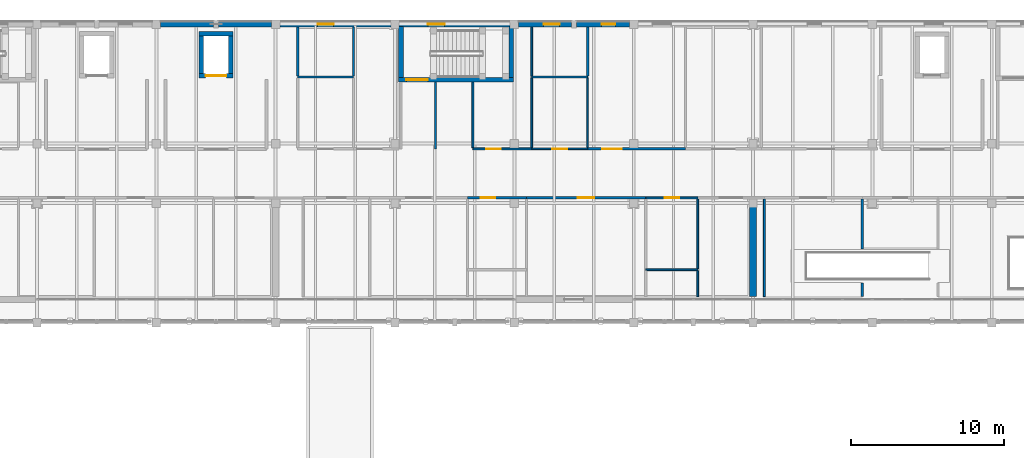
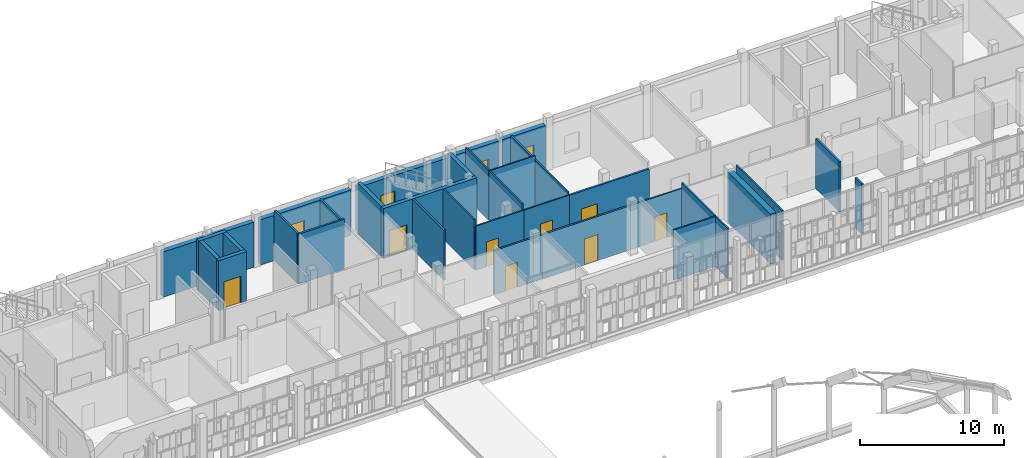
# One storey, part 98 of 119: 36 walls, 8 doors, 4 windows, 12 openings.
"""IFC4 building model written with IfcOpenShell, lengths in metres."""

from ifc_helpers import new_model, si_unit, direction, frame, frame_2d, origin, place, context, subcontext, project, spatial, rectangle, extrude, material, layer, layer_set, type_object, element, fill, save


model = new_model("IFC4")

# Units and contexts
model_context = context("Model", 3, precision=1e-05, world=origin(), true_north=direction((0.0, 1.0)))
body_context = subcontext(model_context, "Body", "Model", "MODEL_VIEW")
ifc_project = project(units=[si_unit("LENGTHUNIT", "METRE"), si_unit("AREAUNIT", "SQUARE_METRE"), si_unit("VOLUMEUNIT", "CUBIC_METRE"), si_unit("PLANEANGLEUNIT", "RADIAN"), si_unit("MASSUNIT", "GRAM", prefix="KILO")], contexts=[model_context])

# Site, building, storey
site_placement = place(None, origin())
site = spatial("IfcSite", under=ifc_project, at=site_placement, CompositionType="ELEMENT")
building_placement = place(site_placement, origin())
building = spatial("IfcBuilding", under=site, at=building_placement, Name="Celorna Specialist Clinic", CompositionType="ELEMENT")
storey_placement = place(building_placement, frame((0.0, 0.0, 9.60009765625)))
storey = spatial("IfcBuildingStorey", under=building, at=storey_placement, Name="L02", CompositionType="ELEMENT", Elevation=9.60009765625)

# Walls
ifc_material_1 = material(Name="Concrete C40/50", Category="concrete")
ifc_layer_1 = layer(ifc_material_1, 0.449951171875, Name="Concrete C40/50")
ifc_layer_set_1 = layer_set([ifc_layer_1], Name="Concrete C40/50")
wall_type_1 = type_object("IfcWallType", Name="WT-04", PredefinedType="SHEAR", material=ifc_layer_set_1)
wall_1_placement = place(storey_placement, frame((101.39990234375, 98.18994140625, 0.0), z_axis=(0.0, 0.0, 1.0), x_axis=(0.0, 1.0, 0.0)))
element("IfcWall", 1, at=wall_1_placement, inside=storey, type_object=wall_type_1, Name="Structural RC shear wall WT-04 V4 L02", PredefinedType="SHEAR", context=body_context, shape_type="SweptSolid", body=[
    extrude(rectangle(XDim=5.9599609375, YDim=0.449951171875, at=frame_2d((2.97998046875, 0.0))), origin(), (0.0, 0.0, 1.0), 4.239990234375),
])
ifc_material_2 = material(Name="Terracotta masonry with insulated cavity", Category="masonry")
ifc_layer_2 = layer(ifc_material_2, 0.3798828125, Name="Terracotta masonry with insulated cavity")
ifc_layer_set_2 = layer_set([ifc_layer_2], Name="Terracotta masonry with insulated cavity")
wall_type_2 = type_object("IfcWallType", Name="WT-06", PredefinedType="STANDARD", material=ifc_layer_set_2)
wall_2_placement = place(storey_placement, frame((62.675048828125, 116.0, 0.0), z_axis=(0.0, 0.0, 1.0), x_axis=(1.0, 0.0, 0.0)))
element("IfcWall", 2, at=wall_2_placement, inside=storey, type_object=wall_type_2, Name="External facade wall WT-06 #237", PredefinedType="STANDARD", context=body_context, shape_type="SweptSolid", body=[
    extrude(rectangle(XDim=3.474853515625, YDim=0.3798828125, at=frame_2d((1.7373046875, 0.0))), origin(), (0.0, 0.0, 1.0), 3.83984375),
])
wall_3_placement = place(storey_placement, frame((66.449951171875, 116.0, 0.0), z_axis=(0.0, 0.0, 1.0), x_axis=(1.0, 0.0, 0.0)))
element("IfcWall", 3, at=wall_3_placement, inside=storey, type_object=wall_type_2, Name="External facade wall WT-06 #238", PredefinedType="STANDARD", context=body_context, shape_type="SweptSolid", body=[
    extrude(rectangle(XDim=3.47509765625, YDim=0.3798828125, at=frame_2d((1.737548828125, 0.0))), origin(), (0.0, 0.0, 1.0), 3.83984375),
])

# Wall, opening, window
wall_4_placement = place(storey_placement, frame((70.47509765625, 116.0, 0.0), z_axis=(0.0, 0.0, 1.0), x_axis=(1.0, 0.0, 0.0)))
wall_4 = element("IfcWall", 4, at=wall_4_placement, inside=storey, type_object=wall_type_2, Name="External facade wall WT-06 #239", PredefinedType="STANDARD", context=body_context, shape_type="SweptSolid", body=[
    extrude(rectangle(XDim=7.25, YDim=0.3798828125, at=frame_2d((3.625, 0.0))), origin(), (0.0, 0.0, 1.0), 3.83984375),
])
opening_1_placement = place(wall_4_placement, frame((2.465087890625, 0.0, 0.89990234375)))
opening_1 = element("IfcOpeningElement", 5, at=opening_1_placement, cuts=wall_4, Name="Opening WN-21", PredefinedType="OPENING", context=body_context, shape_type="SweptSolid", body=[
    extrude(rectangle(XDim=1.050048828125, YDim=1.64990234375, at=frame_2d((0.52490234375, 0.824951171875))), frame((0.0, 0.199951171875, 0.0), z_axis=(0.0, -1.0, 0.0), x_axis=(1.0, 0.0, 0.0)), (0.0, 0.0, 1.0), 0.39990234375),
])
ifc_material_3 = material(Name="Thermally broken aluminium triple-glazed window", Category="aluminium")
window_type_1 = type_object("IfcWindowType", Name="WN-21", PartitioningType="SINGLE_PANEL", PredefinedType="WINDOW", material=ifc_material_3)
window_1_placement = place(opening_1_placement, origin())
window_1 = element("IfcWindow", 6, at=window_1_placement, inside=storey, type_object=window_type_1, Name="Facade window WN-21 #118", OverallHeight=1.64990234375, OverallWidth=1.050048828125, PartitioningType="SINGLE_PANEL", PredefinedType="WINDOW", context=body_context, shape_type="SweptSolid", body=[
    extrude(rectangle(XDim=1.050048828125, YDim=1.64990234375, at=frame_2d((0.52490234375, 0.824951171875))), frame((0.0, 0.030029296875, 0.0), z_axis=(0.0, -1.0, 0.0), x_axis=(1.0, 0.0, 0.0)), (0.0, 0.0, 1.0), 0.06005859375),
])
fill(opening_1, window_1)

wall_5_placement = place(storey_placement, frame((78.27490234375, 116.0, 0.0), z_axis=(0.0, 0.0, 1.0), x_axis=(1.0, 0.0, 0.0)))
wall_5 = element("IfcWall", 7, at=wall_5_placement, inside=storey, type_object=wall_type_2, Name="External facade wall WT-06 #240", PredefinedType="STANDARD", context=body_context, shape_type="SweptSolid", body=[
    extrude(rectangle(XDim=7.25, YDim=0.3798828125, at=frame_2d((3.625, 0.0))), origin(), (0.0, 0.0, 1.0), 3.83984375),
])
opening_2_placement = place(wall_5_placement, frame((1.867431640625, 0.0, 0.89990234375)))
opening_2 = element("IfcOpeningElement", 8, at=opening_2_placement, cuts=wall_5, Name="Opening WN-03", PredefinedType="OPENING", context=body_context, shape_type="SweptSolid", body=[
    extrude(rectangle(XDim=1.10009765625, YDim=1.60009765625, at=frame_2d((0.550048828125, 0.800048828125))), frame((0.0, 0.199951171875, 0.0), z_axis=(0.0, -1.0, 0.0), x_axis=(1.0, 0.0, 0.0)), (0.0, 0.0, 1.0), 0.39990234375),
])
window_type_2 = type_object("IfcWindowType", Name="WN-03", PartitioningType="SINGLE_PANEL", PredefinedType="WINDOW", material=ifc_material_3)
window_2_placement = place(opening_2_placement, origin())
window_2 = element("IfcWindow", 9, at=window_2_placement, inside=storey, type_object=window_type_2, Name="Facade window WN-03 #119", OverallHeight=1.60009765625, OverallWidth=1.10009765625, PartitioningType="SINGLE_PANEL", PredefinedType="WINDOW", context=body_context, shape_type="SweptSolid", body=[
    extrude(rectangle(XDim=1.10009765625, YDim=1.60009765625, at=frame_2d((0.550048828125, 0.800048828125))), frame((0.0, 0.030029296875, 0.0), z_axis=(0.0, -1.0, 0.0), x_axis=(1.0, 0.0, 0.0)), (0.0, 0.0, 1.0), 0.06005859375),
])
fill(opening_2, window_2)

wall_6_placement = place(storey_placement, frame((86.074951171875, 116.0, 0.0), z_axis=(0.0, 0.0, 1.0), x_axis=(1.0, 0.0, 0.0)))
wall_6 = element("IfcWall", 10, at=wall_6_placement, inside=storey, type_object=wall_type_2, Name="External facade wall WT-06 #241", PredefinedType="STANDARD", context=body_context, shape_type="SweptSolid", body=[
    extrude(rectangle(XDim=3.47509765625, YDim=0.3798828125, at=frame_2d((1.737548828125, 0.0))), origin(), (0.0, 0.0, 1.0), 3.83984375),
])
opening_3_placement = place(wall_6_placement, frame((1.635009765625, 0.0, 0.89990234375)))
opening_3 = element("IfcOpeningElement", 11, at=opening_3_placement, cuts=wall_6, Name="Opening WN-21", PredefinedType="OPENING", context=body_context, shape_type="SweptSolid", body=[
    extrude(rectangle(XDim=1.050048828125, YDim=1.64990234375, at=frame_2d((0.52490234375, 0.824951171875))), frame((0.0, 0.199951171875, 0.0), z_axis=(0.0, -1.0, 0.0), x_axis=(1.0, 0.0, 0.0)), (0.0, 0.0, 1.0), 0.39990234375),
])
window_3_placement = place(opening_3_placement, origin())
window_3 = element("IfcWindow", 12, at=window_3_placement, inside=storey, type_object=window_type_1, Name="Facade window WN-21 #120", OverallHeight=1.64990234375, OverallWidth=1.050048828125, PartitioningType="SINGLE_PANEL", PredefinedType="WINDOW", context=body_context, shape_type="SweptSolid", body=[
    extrude(rectangle(XDim=1.050048828125, YDim=1.64990234375, at=frame_2d((0.52490234375, 0.824951171875))), frame((0.0, 0.030029296875, 0.0), z_axis=(0.0, -1.0, 0.0), x_axis=(1.0, 0.0, 0.0)), (0.0, 0.0, 1.0), 0.06005859375),
])
fill(opening_3, window_3)

wall_7_placement = place(storey_placement, frame((89.85009765625, 116.0, 0.0), z_axis=(0.0, 0.0, 1.0), x_axis=(1.0, 0.0, 0.0)))
wall_7 = element("IfcWall", 13, at=wall_7_placement, inside=storey, type_object=wall_type_2, Name="External facade wall WT-06 #242", PredefinedType="STANDARD", context=body_context, shape_type="SweptSolid", body=[
    extrude(rectangle(XDim=3.474853515625, YDim=0.3798828125, at=frame_2d((1.7373046875, 0.0))), origin(), (0.0, 0.0, 1.0), 3.83984375),
])
opening_4_placement = place(wall_7_placement, frame((1.6474609375, 0.0, 0.89990234375)))
opening_4 = element("IfcOpeningElement", 14, at=opening_4_placement, cuts=wall_7, Name="Opening WN-01", PredefinedType="OPENING", context=body_context, shape_type="SweptSolid", body=[
    extrude(rectangle(XDim=0.89990234375, YDim=1.60009765625, at=frame_2d((0.449951171875, 0.800048828125))), frame((0.0, 0.199951171875, 0.0), z_axis=(0.0, -1.0, 0.0), x_axis=(1.0, 0.0, 0.0)), (0.0, 0.0, 1.0), 0.39990234375),
])
window_type_3 = type_object("IfcWindowType", Name="WN-01", PartitioningType="SINGLE_PANEL", PredefinedType="WINDOW", material=ifc_material_3)
window_4_placement = place(opening_4_placement, origin())
window_4 = element("IfcWindow", 15, at=window_4_placement, inside=storey, type_object=window_type_3, Name="Facade window WN-01 #121", OverallHeight=1.60009765625, OverallWidth=0.89990234375, PartitioningType="SINGLE_PANEL", PredefinedType="WINDOW", context=body_context, shape_type="SweptSolid", body=[
    extrude(rectangle(XDim=0.89990234375, YDim=1.60009765625, at=frame_2d((0.449951171875, 0.800048828125))), frame((0.0, 0.030029296875, 0.0), z_axis=(0.0, -1.0, 0.0), x_axis=(1.0, 0.0, 0.0)), (0.0, 0.0, 1.0), 0.06005859375),
])
fill(opening_4, window_4)

# Wall, opening, door
ifc_material_4 = material(Name="Concrete C35/45", Category="concrete")
ifc_layer_3 = layer(ifc_material_4, 0.300048828125, Name="Concrete C35/45")
ifc_layer_set_3 = layer_set([ifc_layer_3], Name="Concrete C35/45")
wall_type_3 = type_object("IfcWallType", Name="WT-08", PredefinedType="SHEAR", material=ifc_layer_set_3)
wall_8_placement = place(storey_placement, frame((78.239990234375, 112.3701171875, 0.0), z_axis=(0.0, 0.0, 1.0), x_axis=(1.0, 0.0, 0.0)))
wall_8 = element("IfcWall", 16, at=wall_8_placement, inside=storey, type_object=wall_type_3, Name="Stair ST-02 RC core wall L02 south", PredefinedType="SHEAR", context=body_context, shape_type="SweptSolid", body=[
    extrude(rectangle(XDim=7.5, YDim=0.300048828125, at=frame_2d((3.75, 0.0))), origin(), (0.0, 0.0, 1.0), 4.239990234375),
])
opening_5_placement = place(wall_8_placement, frame((0.5, 0.0, 0.0)))
opening_5 = element("IfcOpeningElement", 17, at=opening_5_placement, cuts=wall_8, Name="Opening DR-10", PredefinedType="OPENING", context=body_context, shape_type="SweptSolid", body=[
    extrude(rectangle(XDim=1.39990234375, YDim=2.199951171875, at=frame_2d((0.699951171875, 1.10009765625))), frame((0.0, 0.159912109375, 0.0), z_axis=(0.0, -1.0, 0.0), x_axis=(1.0, 0.0, 0.0)), (0.0, 0.0, 1.0), 0.320068359375),
])
ifc_material_5 = material(Name="Protected exit stair fire door")
door_type_1 = type_object("IfcDoorType", Name="DR-10", OperationType="NOTDEFINED", PredefinedType="DOOR", material=ifc_material_5)
door_1_placement = place(opening_5_placement, origin())
door_1 = element("IfcDoor", 18, at=door_1_placement, inside=storey, type_object=door_type_1, Name="Protected exit stair door ST-02 L02", OperationType="SINGLE_SWING_RIGHT", OverallHeight=2.199951171875, OverallWidth=1.39990234375, PredefinedType="DOOR", context=body_context, shape_type="SweptSolid", body=[
    extrude(rectangle(XDim=1.39990234375, YDim=2.199951171875, at=frame_2d((0.699951171875, 1.10009765625))), frame((0.0, 0.02490234375, 0.0), z_axis=(0.0, -1.0, 0.0), x_axis=(1.0, 0.0, 0.0)), (0.0, 0.0, 1.0), 0.050048828125),
])
fill(opening_5, door_1)

# Walls
for number, where, z_axis, x_axis, name in (
    (19, (78.389892578125, 115.85009765625, 0.0), (0.0, 0.0, 1.0), (0.0, -1.0, 0.0), "Stair ST-02 RC core wall L02 west"),
    (20, (85.590087890625, 112.52001953125, 0.0), (0.0, 0.0, 1.0), (0.0, 1.0, 0.0), "Stair ST-02 RC core wall L02 east"),
):
    element("IfcWall", number, at=place(storey_placement, frame(where, z_axis=z_axis, x_axis=x_axis)), inside=storey, type_object=wall_type_3, Name=name, PredefinedType="SHEAR", context=body_context, shape_type="SweptSolid", body=[
        extrude(rectangle(XDim=3.330078125, YDim=0.300048828125, at=frame_2d((1.6650390625, 0.0))), origin(), (0.0, 0.0, 1.0), 4.239990234375),
    ])

# Wall, opening, door
wall_9_placement = place(storey_placement, frame((65.175048828125, 112.625, 0.0), z_axis=(0.0, 0.0, 1.0), x_axis=(1.0, 0.0, 0.0)))
wall_9 = element("IfcWall", 21, at=wall_9_placement, inside=storey, type_object=wall_type_3, Name="Lift LF-02 RC shaft wall L02", PredefinedType="SHEAR", context=body_context, shape_type="SweptSolid", body=[
    extrude(rectangle(XDim=2.25, YDim=0.300048828125, at=frame_2d((1.125, 0.0))), origin(), (0.0, 0.0, 1.0), 4.239990234375),
])
opening_6_placement = place(wall_9_placement, frame((0.449951171875, 0.0, 0.0)))
opening_6 = element("IfcOpeningElement", 22, at=opening_6_placement, cuts=wall_9, Name="Opening LD-02", PredefinedType="OPENING", context=body_context, shape_type="SweptSolid", body=[
    extrude(rectangle(XDim=1.35009765625, YDim=2.300048828125, at=frame_2d((0.675048828125, 1.14990234375))), frame((0.0, 0.159912109375, 0.0), z_axis=(0.0, -1.0, 0.0), x_axis=(1.0, 0.0, 0.0)), (0.0, 0.0, 1.0), 0.320068359375),
])
ifc_material_6 = material(Name="Firefighting stretcher lift landing sliding door")
door_type_2 = type_object("IfcDoorType", Name="LD-02", OperationType="DOUBLE_DOOR_SLIDING", PredefinedType="DOOR", material=ifc_material_6)
door_2_placement = place(opening_6_placement, origin())
door_2 = element("IfcDoor", 23, at=door_2_placement, inside=storey, type_object=door_type_2, Name="Lift LF-02 sliding landing door L02", OperationType="DOUBLE_DOOR_SLIDING", OverallHeight=2.300048828125, OverallWidth=1.35009765625, PredefinedType="DOOR", context=body_context, shape_type="SweptSolid", body=[
    extrude(rectangle(XDim=1.35009765625, YDim=2.300048828125, at=frame_2d((0.675048828125, 1.14990234375))), frame((0.0, 0.02490234375, 0.0), z_axis=(0.0, -1.0, 0.0), x_axis=(1.0, 0.0, 0.0)), (0.0, 0.0, 1.0), 0.050048828125),
])
fill(opening_6, door_2)

# Walls
wall_10_placement = place(storey_placement, frame((67.425048828125, 115.375, 0.0), z_axis=(0.0, 0.0, 1.0), x_axis=(-1.0, 0.0, 0.0)))
element("IfcWall", 24, at=wall_10_placement, inside=storey, type_object=wall_type_3, Name="Lift LF-02 RC shaft wall L02", PredefinedType="SHEAR", context=body_context, shape_type="SweptSolid", body=[
    extrude(rectangle(XDim=2.25, YDim=0.300048828125, at=frame_2d((1.125, 0.0))), origin(), (0.0, 0.0, 1.0), 4.239990234375),
])
for number, where, z_axis, x_axis, name in (
    (25, (65.324951171875, 115.22509765625, 0.0), (0.0, 0.0, 1.0), (0.0, -1.0, 0.0), "Lift LF-02 RC shaft wall L02"),
    (26, (67.27490234375, 112.77490234375, 0.0), (0.0, 0.0, 1.0), (0.0, 1.0, 0.0), "Lift LF-02 RC shaft wall L02"),
):
    element("IfcWall", number, at=place(storey_placement, frame(where, z_axis=z_axis, x_axis=x_axis)), inside=storey, type_object=wall_type_3, Name=name, PredefinedType="SHEAR", context=body_context, shape_type="SweptSolid", body=[
        extrude(rectangle(XDim=2.4501953125, YDim=0.300048828125, at=frame_2d((1.22509765625, 0.0))), origin(), (0.0, 0.0, 1.0), 4.239990234375),
    ])
ifc_material_7 = material(Name="Fire-rated gypsum board partition")
ifc_layer_4 = layer(ifc_material_7, 0.14990234375, Name="Fire-rated gypsum board partition")
ifc_layer_set_4 = layer_set([ifc_layer_4], Name="Fire-rated gypsum board partition")
wall_type_4 = type_object("IfcWallType", Name="WT-14", PredefinedType="PARTITIONING", material=ifc_layer_set_4)
wall_11_placement = place(storey_placement, frame((80.639892578125, 107.85009765625, 0.0), z_axis=(0.0, 0.0, 1.0), x_axis=(0.0, 1.0, 0.0)))
element("IfcWall", 27, at=wall_11_placement, inside=storey, type_object=wall_type_4, Name="Corridor spur partition WT-14", PredefinedType="PARTITIONING", context=body_context, shape_type="SweptSolid", body=[
    extrude(rectangle(XDim=4.369873046875, YDim=0.14990234375, at=frame_2d((2.18505859375, 0.0))), origin(), (0.0, 0.0, 1.0), 4.239990234375),
])

# Wall, opening, door
wall_12_placement = place(storey_placement, frame((86.590087890625, 104.64990234375, 0.0), z_axis=(0.0, 0.0, 1.0), x_axis=(-1.0, 0.0, 0.0)))
wall_12 = element("IfcWall", 28, at=wall_12_placement, inside=storey, type_object=wall_type_4, Name="Interior partition WT-14 L02-032", PredefinedType="PARTITIONING", context=body_context, shape_type="SweptSolid", body=[
    extrude(rectangle(XDim=3.85009765625, YDim=0.14990234375, at=frame_2d((1.925048828125, 0.0))), origin(), (0.0, 0.0, 1.0), 3.739990234375),
])
opening_7_placement = place(wall_12_placement, frame((2.027587890625, 0.0, 0.0)))
opening_7 = element("IfcOpeningElement", 29, at=opening_7_placement, cuts=wall_12, Name="Opening DR-03", PredefinedType="OPENING", context=body_context, shape_type="SweptSolid", body=[
    extrude(rectangle(XDim=0.949951171875, YDim=2.10009765625, at=frame_2d((0.47509765625, 1.050048828125))), frame((0.0, 0.0849609375, 0.0), z_axis=(0.0, -1.0, 0.0), x_axis=(1.0, 0.0, 0.0)), (0.0, 0.0, 1.0), 0.169921875),
])
ifc_material_8 = material(Name="Moisture-resistant accessible WC door")
door_type_3 = type_object("IfcDoorType", Name="DR-03", OperationType="NOTDEFINED", PredefinedType="DOOR", material=ifc_material_8)
door_3_placement = place(opening_7_placement, origin())
door_3 = element("IfcDoor", 30, at=door_3_placement, inside=storey, type_object=door_type_3, Name="Accessible WC door L02-032", OperationType="SINGLE_SWING_LEFT", OverallHeight=2.10009765625, OverallWidth=0.949951171875, PredefinedType="DOOR", context=body_context, shape_type="SweptSolid", body=[
    extrude(rectangle(XDim=0.949951171875, YDim=2.10009765625, at=frame_2d((0.47509765625, 1.050048828125))), frame((0.0, 0.02490234375, 0.0), z_axis=(0.0, -1.0, 0.0), x_axis=(1.0, 0.0, 0.0)), (0.0, 0.0, 1.0), 0.050048828125),
])
fill(opening_7, door_3)

wall_13_placement = place(storey_placement, frame((94.389892578125, 104.64990234375, 0.0), z_axis=(0.0, 0.0, 1.0), x_axis=(-1.0, 0.0, 0.0)))
wall_13 = element("IfcWall", 31, at=wall_13_placement, inside=storey, type_object=wall_type_4, Name="Interior partition WT-14 L02-033", PredefinedType="PARTITIONING", context=body_context, shape_type="SweptSolid", body=[
    extrude(rectangle(XDim=7.7998046875, YDim=0.14990234375, at=frame_2d((3.89990234375, 0.0))), origin(), (0.0, 0.0, 1.0), 3.739990234375),
])
opening_8_placement = place(wall_13_placement, frame((3.360107421875, 0.0, 0.0)))
opening_8 = element("IfcOpeningElement", 32, at=opening_8_placement, cuts=wall_13, Name="Opening DR-21", PredefinedType="OPENING", context=body_context, shape_type="SweptSolid", body=[
    extrude(rectangle(XDim=1.080078125, YDim=2.199951171875, at=frame_2d((0.5400390625, 1.10009765625))), frame((0.0, 0.0849609375, 0.0), z_axis=(0.0, -1.0, 0.0), x_axis=(1.0, 0.0, 0.0)), (0.0, 0.0, 1.0), 0.169921875),
])
ifc_material_9 = material(Name="Timber outpatient suite door", Category="wood")
door_type_4 = type_object("IfcDoorType", Name="DR-21", OperationType="NOTDEFINED", PredefinedType="DOOR", material=ifc_material_9)
door_4_placement = place(opening_8_placement, origin())
door_4 = element("IfcDoor", 33, at=door_4_placement, inside=storey, type_object=door_type_4, Name="Consulting Room door L02-033", OperationType="SINGLE_SWING_RIGHT", OverallHeight=2.199951171875, OverallWidth=1.080078125, PredefinedType="DOOR", context=body_context, shape_type="SweptSolid", body=[
    extrude(rectangle(XDim=1.080078125, YDim=2.199951171875, at=frame_2d((0.5400390625, 1.10009765625))), frame((0.0, 0.02490234375, 0.0), z_axis=(0.0, -1.0, 0.0), x_axis=(1.0, 0.0, 0.0)), (0.0, 0.0, 1.0), 0.050048828125),
])
fill(opening_8, door_4)

# Wall
wall_14_placement = place(storey_placement, frame((71.639892578125, 112.550048828125, 0.0), z_axis=(0.0, 0.0, 1.0), x_axis=(1.0, 0.0, 0.0)))
element("IfcWall", 34, at=wall_14_placement, inside=storey, type_object=wall_type_4, Name="Sanitary suite rear partition L02-042", PredefinedType="PARTITIONING", context=body_context, shape_type="SweptSolid", body=[
    extrude(rectangle(XDim=3.650146484375, YDim=0.14990234375, at=frame_2d((1.8251953125, 0.0))), origin(), (0.0, 0.0, 1.0), 4.239990234375),
])

# Wall, opening, door
wall_15_placement = place(storey_placement, frame((90.590087890625, 107.85009765625, 0.0), z_axis=(0.0, 0.0, 1.0), x_axis=(1.0, 0.0, 0.0)))
wall_15 = element("IfcWall", 35, at=wall_15_placement, inside=storey, type_object=wall_type_4, Name="Interior partition WT-14 L02-046", PredefinedType="PARTITIONING", context=body_context, shape_type="SweptSolid", body=[
    extrude(rectangle(XDim=6.39990234375, YDim=0.14990234375, at=frame_2d((3.199951171875, 0.0))), origin(), (0.0, 0.0, 1.0), 3.739990234375),
])
opening_9_placement = place(wall_15_placement, frame((0.9599609375, 0.0, 0.0)))
opening_9 = element("IfcOpeningElement", 36, at=opening_9_placement, cuts=wall_15, Name="Opening DR-22", PredefinedType="OPENING", context=body_context, shape_type="SweptSolid", body=[
    extrude(rectangle(XDim=1.280029296875, YDim=2.25, at=frame_2d((0.64013671875, 1.125))), frame((0.0, 0.0849609375, 0.0), z_axis=(0.0, -1.0, 0.0), x_axis=(1.0, 0.0, 0.0)), (0.0, 0.0, 1.0), 0.169921875),
])
ifc_material_10 = material(Name="Diagnostic procedure room door")
door_type_5 = type_object("IfcDoorType", Name="DR-22", OperationType="NOTDEFINED", PredefinedType="DOOR", material=ifc_material_10)
door_5_placement = place(opening_9_placement, origin())
door_5 = element("IfcDoor", 37, at=door_5_placement, inside=storey, type_object=door_type_5, Name="Outpatient Clinic door L02-046", OperationType="SINGLE_SWING_LEFT", OverallHeight=2.25, OverallWidth=1.280029296875, PredefinedType="DOOR", context=body_context, shape_type="SweptSolid", body=[
    extrude(rectangle(XDim=1.280029296875, YDim=2.25, at=frame_2d((0.64013671875, 1.125))), frame((0.0, 0.02490234375, 0.0), z_axis=(0.0, -1.0, 0.0), x_axis=(1.0, 0.0, 0.0)), (0.0, 0.0, 1.0), 0.050048828125),
])
fill(opening_9, door_5)

# Walls
wall_16_placement = place(storey_placement, frame((108.5400390625, 98.18994140625, 0.0), z_axis=(0.0, 0.0, 1.0), x_axis=(0.0, 1.0, 0.0)))
element("IfcWall", 38, at=wall_16_placement, inside=storey, type_object=wall_type_4, Name="Room dividing partition WT-14 L02-036", PredefinedType="PARTITIONING", context=body_context, shape_type="SweptSolid", body=[
    extrude(rectangle(XDim=0.91015625, YDim=0.14990234375, at=frame_2d((0.455078125, 0.0))), origin(), (0.0, 0.0, 1.0), 4.239990234375),
])
wall_17_placement = place(storey_placement, frame((108.5400390625, 101.300048828125, 0.0), z_axis=(0.0, 0.0, 1.0), x_axis=(0.0, 1.0, 0.0)))
element("IfcWall", 39, at=wall_17_placement, inside=storey, type_object=wall_type_4, Name="Room dividing partition WT-14 L02-036", PredefinedType="PARTITIONING", context=body_context, shape_type="SweptSolid", body=[
    extrude(rectangle(XDim=3.27490234375, YDim=0.14990234375, at=frame_2d((1.637451171875, 0.0))), origin(), (0.0, 0.0, 1.0), 4.239990234375),
])
wall_18_placement = place(storey_placement, frame((75.2900390625, 112.625, 0.0), z_axis=(0.0, 0.0, 1.0), x_axis=(0.0, 1.0, 0.0)))
element("IfcWall", 40, at=wall_18_placement, inside=storey, type_object=wall_type_4, Name="Room dividing partition WT-14 L02-043", PredefinedType="PARTITIONING", context=body_context, shape_type="SweptSolid", body=[
    extrude(rectangle(XDim=3.18505859375, YDim=0.14990234375, at=frame_2d((1.592529296875, 0.0))), origin(), (0.0, 0.0, 1.0), 3.93994140625),
])
wall_19_placement = place(storey_placement, frame((71.639892578125, 112.625, 0.0), z_axis=(0.0, 0.0, 1.0), x_axis=(0.0, 1.0, 0.0)))
element("IfcWall", 41, at=wall_19_placement, inside=storey, type_object=wall_type_4, Name="Room dividing partition WT-14 L02-043", PredefinedType="PARTITIONING", context=body_context, shape_type="SweptSolid", body=[
    extrude(rectangle(XDim=3.18505859375, YDim=0.14990234375, at=frame_2d((1.592529296875, 0.0))), origin(), (0.0, 0.0, 1.0), 4.239990234375),
])
wall_20_placement = place(storey_placement, frame((90.590087890625, 112.60009765625, 0.0), z_axis=(0.0, 0.0, 1.0), x_axis=(0.0, 1.0, 0.0)))
element("IfcWall", 42, at=wall_20_placement, inside=storey, type_object=wall_type_4, Name="Room dividing partition WT-14 L02-046", PredefinedType="PARTITIONING", context=body_context, shape_type="SweptSolid", body=[
    extrude(rectangle(XDim=3.2099609375, YDim=0.14990234375, at=frame_2d((1.60498046875, 0.0))), origin(), (0.0, 0.0, 1.0), 3.93994140625),
])

# Wall, opening, door
ifc_material_11 = material(Name="Acoustic gypsum board partition")
ifc_layer_5 = layer(ifc_material_11, 0.1201171875, Name="Acoustic gypsum board partition")
ifc_layer_set_5 = layer_set([ifc_layer_5], Name="Acoustic gypsum board partition")
wall_type_5 = type_object("IfcWallType", Name="WT-15", PredefinedType="PARTITIONING", material=ifc_layer_set_5)
wall_21_placement = place(storey_placement, frame((97.7900390625, 104.64990234375, 0.0), z_axis=(0.0, 0.0, 1.0), x_axis=(-1.0, 0.0, 0.0)))
wall_21 = element("IfcWall", 43, at=wall_21_placement, inside=storey, type_object=wall_type_5, Name="Interior partition WT-15 L02-034", PredefinedType="PARTITIONING", context=body_context, shape_type="SweptSolid", body=[
    extrude(rectangle(XDim=3.400146484375, YDim=0.1201171875, at=frame_2d((1.7001953125, 0.0))), origin(), (0.0, 0.0, 1.0), 3.739990234375),
])
opening_10_placement = place(wall_21_placement, frame((1.22509765625, 0.0, 0.0)))
opening_10 = element("IfcOpeningElement", 44, at=opening_10_placement, cuts=wall_21, Name="Opening DR-03", PredefinedType="OPENING", context=body_context, shape_type="SweptSolid", body=[
    extrude(rectangle(XDim=0.949951171875, YDim=2.10009765625, at=frame_2d((0.47509765625, 1.050048828125))), frame((0.0, 0.070068359375, 0.0), z_axis=(0.0, -1.0, 0.0), x_axis=(1.0, 0.0, 0.0)), (0.0, 0.0, 1.0), 0.14013671875),
])
door_6_placement = place(opening_10_placement, origin())
door_6 = element("IfcDoor", 45, at=door_6_placement, inside=storey, type_object=door_type_3, Name="Public Male WC door L02-034", OperationType="SINGLE_SWING_LEFT", OverallHeight=2.10009765625, OverallWidth=0.949951171875, PredefinedType="DOOR", context=body_context, shape_type="SweptSolid", body=[
    extrude(rectangle(XDim=0.949951171875, YDim=2.10009765625, at=frame_2d((0.47509765625, 1.050048828125))), frame((0.0, 0.02490234375, 0.0), z_axis=(0.0, -1.0, 0.0), x_axis=(1.0, 0.0, 0.0)), (0.0, 0.0, 1.0), 0.050048828125),
])
fill(opening_10, door_6)

# Wall
wall_22_placement = place(storey_placement, frame((94.389892578125, 99.949951171875, 0.0), z_axis=(0.0, 0.0, 1.0), x_axis=(1.0, 0.0, 0.0)))
element("IfcWall", 46, at=wall_22_placement, inside=storey, type_object=wall_type_5, Name="Sanitary suite rear partition L02-034", PredefinedType="PARTITIONING", context=body_context, shape_type="SweptSolid", body=[
    extrude(rectangle(XDim=3.400146484375, YDim=0.1201171875, at=frame_2d((1.7001953125, 0.0))), origin(), (0.0, 0.0, 1.0), 4.239990234375),
])

# Wall, opening, door
wall_23_placement = place(storey_placement, frame((83.090087890625, 107.85009765625, 0.0), z_axis=(0.0, 0.0, 1.0), x_axis=(1.0, 0.0, 0.0)))
wall_23 = element("IfcWall", 47, at=wall_23_placement, inside=storey, type_object=wall_type_5, Name="Interior partition WT-15 L02-044", PredefinedType="PARTITIONING", context=body_context, shape_type="SweptSolid", body=[
    extrude(rectangle(XDim=3.849853515625, YDim=0.1201171875, at=frame_2d((1.9248046875, 0.0))), origin(), (0.0, 0.0, 1.0), 3.739990234375),
])
opening_11_placement = place(wall_23_placement, frame((0.87255859375, 0.0, 0.0)))
opening_11 = element("IfcOpeningElement", 48, at=opening_11_placement, cuts=wall_23, Name="Opening DR-03", PredefinedType="OPENING", context=body_context, shape_type="SweptSolid", body=[
    extrude(rectangle(XDim=0.949951171875, YDim=2.10009765625, at=frame_2d((0.47509765625, 1.050048828125))), frame((0.0, 0.070068359375, 0.0), z_axis=(0.0, -1.0, 0.0), x_axis=(1.0, 0.0, 0.0)), (0.0, 0.0, 1.0), 0.14013671875),
])
door_7_placement = place(opening_11_placement, origin())
door_7 = element("IfcDoor", 49, at=door_7_placement, inside=storey, type_object=door_type_3, Name="Public Male WC door L02-044", OperationType="SINGLE_SWING_LEFT", OverallHeight=2.10009765625, OverallWidth=0.949951171875, PredefinedType="DOOR", context=body_context, shape_type="SweptSolid", body=[
    extrude(rectangle(XDim=0.949951171875, YDim=2.10009765625, at=frame_2d((0.47509765625, 1.050048828125))), frame((0.0, 0.02490234375, 0.0), z_axis=(0.0, -1.0, 0.0), x_axis=(1.0, 0.0, 0.0)), (0.0, 0.0, 1.0), 0.050048828125),
])
fill(opening_11, door_7)

# Walls
wall_24_placement = place(storey_placement, frame((97.7900390625, 100.010009765625, 0.0), z_axis=(0.0, 0.0, 1.0), x_axis=(0.0, 1.0, 0.0)))
element("IfcWall", 50, at=wall_24_placement, inside=storey, type_object=wall_type_5, Name="Room dividing partition WT-15 L02-034", PredefinedType="PARTITIONING", context=body_context, shape_type="SweptSolid", body=[
    extrude(rectangle(XDim=4.580078125, YDim=0.1201171875, at=frame_2d((2.2900390625, 0.0))), origin(), (0.0, 0.0, 1.0), 4.239990234375),
])
wall_25_placement = place(storey_placement, frame((97.7900390625, 98.18994140625, 0.0), z_axis=(0.0, 0.0, 1.0), x_axis=(0.0, 1.0, 0.0)))
element("IfcWall", 51, at=wall_25_placement, inside=storey, type_object=wall_type_5, Name="Room dividing partition WT-15 L02-035", PredefinedType="PARTITIONING", context=body_context, shape_type="SweptSolid", body=[
    extrude(rectangle(XDim=1.699951171875, YDim=0.1201171875, at=frame_2d((0.85009765625, 0.0))), origin(), (0.0, 0.0, 1.0), 4.239990234375),
])
wall_26_placement = place(storey_placement, frame((102.139892578125, 98.18994140625, 0.0), z_axis=(0.0, 0.0, 1.0), x_axis=(0.0, 1.0, 0.0)))
element("IfcWall", 52, at=wall_26_placement, inside=storey, type_object=wall_type_5, Name="Room dividing partition WT-15 L02-035", PredefinedType="PARTITIONING", context=body_context, shape_type="SweptSolid", body=[
    extrude(rectangle(XDim=6.385009765625, YDim=0.1201171875, at=frame_2d((3.1923828125, 0.0))), origin(), (0.0, 0.0, 1.0), 4.239990234375),
])
wall_27_placement = place(storey_placement, frame((83.090087890625, 107.909912109375, 0.0), z_axis=(0.0, 0.0, 1.0), x_axis=(0.0, 1.0, 0.0)))
element("IfcWall", 53, at=wall_27_placement, inside=storey, type_object=wall_type_5, Name="Room dividing partition WT-15 L02-044", PredefinedType="PARTITIONING", context=body_context, shape_type="SweptSolid", body=[
    extrude(rectangle(XDim=4.31005859375, YDim=0.1201171875, at=frame_2d((2.155029296875, 0.0))), origin(), (0.0, 0.0, 1.0), 4.239990234375),
])
wall_28_placement = place(storey_placement, frame((86.93994140625, 107.909912109375, 0.0), z_axis=(0.0, 0.0, 1.0), x_axis=(0.0, 1.0, 0.0)))
element("IfcWall", 54, at=wall_28_placement, inside=storey, type_object=wall_type_5, Name="Room dividing partition WT-15 L02-044", PredefinedType="PARTITIONING", context=body_context, shape_type="SweptSolid", body=[
    extrude(rectangle(XDim=4.590087890625, YDim=0.1201171875, at=frame_2d((2.294921875, 0.0))), origin(), (0.0, 0.0, 1.0), 4.239990234375),
])
wall_29_placement = place(storey_placement, frame((86.93994140625, 112.60009765625, 0.0), z_axis=(0.0, 0.0, 1.0), x_axis=(0.0, 1.0, 0.0)))
element("IfcWall", 55, at=wall_29_placement, inside=storey, type_object=wall_type_5, Name="Room dividing partition WT-15 L02-044", PredefinedType="PARTITIONING", context=body_context, shape_type="SweptSolid", body=[
    extrude(rectangle(XDim=3.2099609375, YDim=0.1201171875, at=frame_2d((1.60498046875, 0.0))), origin(), (0.0, 0.0, 1.0), 4.239990234375),
])

# Wall, opening, door
ifc_material_12 = material(Name="Moisture-resistant gypsum partition")
ifc_layer_6 = layer(ifc_material_12, 0.10009765625, Name="Moisture-resistant gypsum partition")
ifc_layer_set_6 = layer_set([ifc_layer_6], Name="Moisture-resistant gypsum partition")
wall_type_6 = type_object("IfcWallType", Name="WT-16", PredefinedType="PARTITIONING", material=ifc_layer_set_6)
wall_30_placement = place(storey_placement, frame((86.93994140625, 107.85009765625, 0.0), z_axis=(0.0, 0.0, 1.0), x_axis=(1.0, 0.0, 0.0)))
wall_30 = element("IfcWall", 56, at=wall_30_placement, inside=storey, type_object=wall_type_6, Name="Interior partition WT-16 L02-045", PredefinedType="PARTITIONING", context=body_context, shape_type="SweptSolid", body=[
    extrude(rectangle(XDim=3.650146484375, YDim=0.10009765625, at=frame_2d((1.8251953125, 0.0))), origin(), (0.0, 0.0, 1.0), 3.739990234375),
])
opening_12_placement = place(wall_30_placement, frame((1.35009765625, 0.0, 0.0)))
opening_12 = element("IfcOpeningElement", 57, at=opening_12_placement, cuts=wall_30, Name="Opening DR-03", PredefinedType="OPENING", context=body_context, shape_type="SweptSolid", body=[
    extrude(rectangle(XDim=0.949951171875, YDim=2.10009765625, at=frame_2d((0.47509765625, 1.050048828125))), frame((0.0, 0.06005859375, 0.0), z_axis=(0.0, -1.0, 0.0), x_axis=(1.0, 0.0, 0.0)), (0.0, 0.0, 1.0), 0.1201171875),
])
door_8_placement = place(opening_12_placement, origin())
door_8 = element("IfcDoor", 58, at=door_8_placement, inside=storey, type_object=door_type_3, Name="Staff WC door L02-045", OperationType="SINGLE_SWING_RIGHT", OverallHeight=2.10009765625, OverallWidth=0.949951171875, PredefinedType="DOOR", context=body_context, shape_type="SweptSolid", body=[
    extrude(rectangle(XDim=0.949951171875, YDim=2.10009765625, at=frame_2d((0.47509765625, 1.050048828125))), frame((0.0, 0.02490234375, 0.0), z_axis=(0.0, -1.0, 0.0), x_axis=(1.0, 0.0, 0.0)), (0.0, 0.0, 1.0), 0.050048828125),
])
fill(opening_12, door_8)

# Walls
wall_31_placement = place(storey_placement, frame((86.93994140625, 112.550048828125, 0.0), z_axis=(0.0, 0.0, 1.0), x_axis=(1.0, 0.0, 0.0)))
element("IfcWall", 59, at=wall_31_placement, inside=storey, type_object=wall_type_6, Name="Sanitary suite rear partition L02-045", PredefinedType="PARTITIONING", context=body_context, shape_type="SweptSolid", body=[
    extrude(rectangle(XDim=3.650146484375, YDim=0.10009765625, at=frame_2d((1.8251953125, 0.0))), origin(), (0.0, 0.0, 1.0), 4.239990234375),
])
wall_32_placement = place(storey_placement, frame((90.590087890625, 107.925048828125, 0.0), z_axis=(0.0, 0.0, 1.0), x_axis=(0.0, 1.0, 0.0)))
element("IfcWall", 60, at=wall_32_placement, inside=storey, type_object=wall_type_6, Name="Room dividing partition WT-16 L02-045", PredefinedType="PARTITIONING", context=body_context, shape_type="SweptSolid", body=[
    extrude(rectangle(XDim=4.574951171875, YDim=0.10009765625, at=frame_2d((2.28759765625, 0.0))), origin(), (0.0, 0.0, 1.0), 3.93994140625),
])

save(model, "model.ifc")
